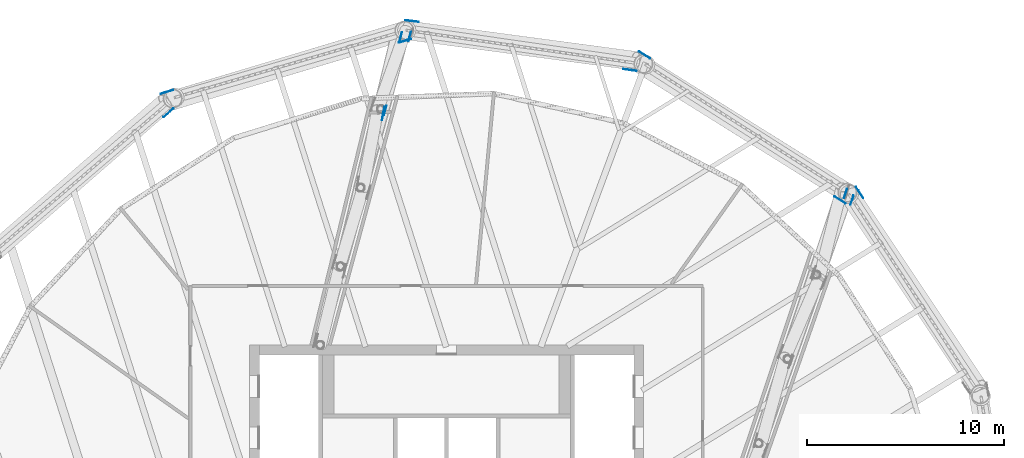
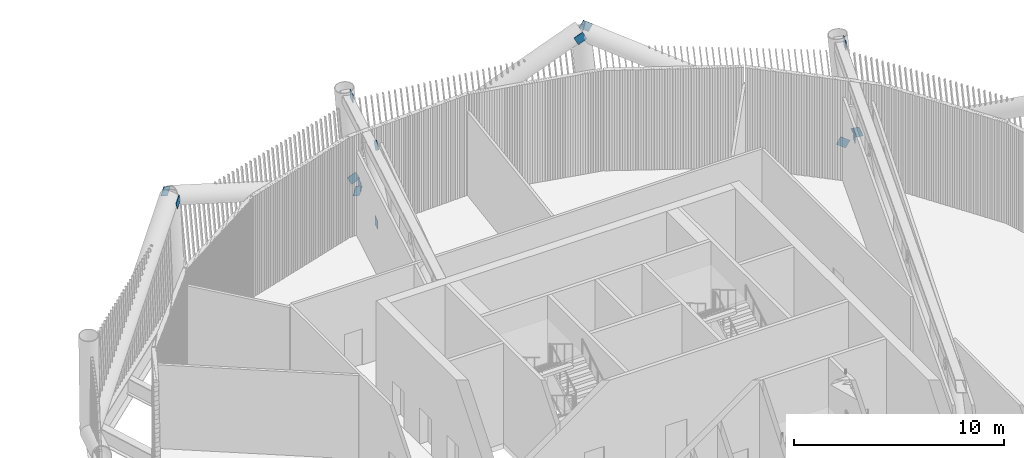
# One storey, part 24 of 40: 14 discrete accessories.
"""IFC4 building model written with IfcOpenShell, lengths in metres."""

from ifc_helpers import new_model, si_unit, direction, frame, origin, origin_2d, place, context, subcontext, project, spatial, rectangle, extrude, material, material_profile, profile_set, type_object, element, save


model = new_model("IFC4")

# Units and contexts
model_context = context("Model", 3, precision=1e-05, world=origin(), true_north=direction((0.0, 1.0)))
body_context = subcontext(model_context, "Body", "Model", "MODEL_VIEW")
ifc_project = project(units=[si_unit("LENGTHUNIT", "METRE"), si_unit("AREAUNIT", "SQUARE_METRE"), si_unit("VOLUMEUNIT", "CUBIC_METRE"), si_unit("PLANEANGLEUNIT", "RADIAN"), si_unit("MASSUNIT", "GRAM", prefix="KILO")], contexts=[model_context])

# Site, building, storey
site_placement = place(None, origin())
site = spatial("IfcSite", under=ifc_project, at=site_placement, CompositionType="ELEMENT")
building_placement = place(site_placement, origin())
building = spatial("IfcBuilding", under=site, at=building_placement, Name="Tarsis Ring Headquarters", CompositionType="ELEMENT")
storey_placement = place(building_placement, frame((0.0, 0.0, 354.800048828125)))
storey = spatial("IfcBuildingStorey", under=building, at=storey_placement, Name="L84", CompositionType="ELEMENT", Elevation=354.800048828125)

# Discrete accessories
ifc_material = material(Name="Structural steel S355", Category="steel")
ifc_material_profile = material_profile(ifc_material, rectangle(XDim=0.02490234375, YDim=0.5, at=origin_2d()), Name="PL 25x500")
ifc_profile_set = profile_set([ifc_material_profile], Name="Structural steel S355")
discrete_accessory_type_1 = type_object("IfcDiscreteAccessoryType", Name="Gusset plate Belt truss 25", PredefinedType="BRACKET", material=ifc_profile_set)
discrete_accessory_1_placement = place(storey_placement, frame((20.8310546875, 20.935546875, 0.0), z_axis=(0.493785982833, -0.740923180967, 0.455201321464), x_axis=(0.832134675427, 0.554573603729, 0.0)))
element("IfcDiscreteAccessory", 1, at=discrete_accessory_1_placement, inside=storey, type_object=discrete_accessory_type_1, Name="Gusset plate GP4", PredefinedType="BRACKET", context=body_context, shape_type="SweptSolid", body=[
    extrude(rectangle(XDim=0.02490234375, YDim=0.5, at=origin_2d()), origin(), (0.0, 0.0, 1.0), 0.499755859375),
])
discrete_accessory_2_placement = place(storey_placement, frame((20.156982421875, 20.240966796875, 0.0), z_axis=(-0.767792786188, 0.479321370653, 0.425141460121), x_axis=(-0.529562606934, -0.848270856117, 0.0)))
element("IfcDiscreteAccessory", 2, at=discrete_accessory_2_placement, inside=storey, type_object=discrete_accessory_type_1, Name="Gusset plate GP4", PredefinedType="BRACKET", context=body_context, shape_type="SweptSolid", body=[
    extrude(rectangle(XDim=0.02490234375, YDim=0.5, at=origin_2d()), origin(), (0.0, 0.0, 1.0), 0.500244140625),
])
discrete_accessory_3_placement = place(storey_placement, frame((9.853515625, 27.83935546875, 6.0), z_axis=(0.767772000603, -0.479124893506, -0.425400389647), x_axis=(0.529416698702, 0.848361926972, 0.0)))
element("IfcDiscreteAccessory", 3, at=discrete_accessory_3_placement, inside=storey, type_object=discrete_accessory_type_1, Name="Gusset plate GP4", PredefinedType="BRACKET", context=body_context, shape_type="SweptSolid", body=[
    extrude(rectangle(XDim=0.02490234375, YDim=0.5, at=origin_2d()), origin(), (0.0, 0.0, 1.0), 0.499755859375),
])
for number, where, z_axis, x_axis, name in (
    (4, (-1.971923828125, 29.4677734375, 0.0), (0.882520657714, -0.118190370319, 0.455179442717), (0.132738551747, 0.991151086808, 0.0), "Gusset plate GP4"),
    (5, (9.525634765625, 26.9287109375, 6.0), (-0.882324429113, 0.118164090673, -0.455566514866), (-0.132738551747, -0.991151086808, 0.0), "Gusset plate GP4"),
    (6, (-1.895263671875, 28.502685546875, 0.0), (-0.866797284741, -0.260283353672, 0.425341090146), (0.287595389088, -0.957751999306, 0.0), "Gusset plate GP4"),
    (7, (-14.404541015625, 25.780517578125, 6.0), (0.866797284741, 0.260283353672, -0.425341090146), (-0.287595389088, 0.957751999306, 0.0), "Gusset plate GP4"),
    (8, (-13.93701171875, 24.932861328125, 6.0), (-0.671225585212, -0.584820546243, -0.45545706982), (0.656911492965, -0.75396769852, 0.0), "Gusset plate GP4"),
):
    element("IfcDiscreteAccessory", number, at=place(storey_placement, frame(where, z_axis=z_axis, x_axis=x_axis)), inside=storey, type_object=discrete_accessory_type_1, Name=name, PredefinedType="BRACKET", context=body_context, shape_type="SweptSolid", body=[
        extrude(rectangle(XDim=0.02490234375, YDim=0.5, at=origin_2d()), origin(), (0.0, 0.0, 1.0), 0.5),
    ])
discrete_accessory_type_2 = type_object("IfcDiscreteAccessoryType", Name="Gusset plate Outrigger 25", PredefinedType="BRACKET", material=ifc_profile_set)
discrete_accessory_4_placement = place(storey_placement, frame((-3.183349609375, 24.895751953125, 5.5859375), z_axis=(-0.109873301614, -0.593315828718, -0.797436006828), x_axis=(0.983282004984, -0.182089260182, 0.0)))
element("IfcDiscreteAccessory", 9, at=discrete_accessory_4_placement, inside=storey, type_object=discrete_accessory_type_2, Name="Gusset plate GP1", PredefinedType="BRACKET", context=body_context, shape_type="SweptSolid", body=[
    extrude(rectangle(XDim=0.02490234375, YDim=0.5, at=origin_2d()), origin(), (0.0, 0.0, 1.0), 0.5),
])
discrete_accessory_type_3 = type_object("IfcDiscreteAccessoryType", Name="Gusset plate Outrigger chord 25", PredefinedType="BRACKET", material=ifc_profile_set)
discrete_accessory_5_placement = place(storey_placement, frame((20.654541015625, 20.588623046875, 0.25390625), z_axis=(-0.329675922935, -0.944094161531, 0.0), x_axis=(0.944094161531, -0.329675922935, 0.0)))
element("IfcDiscreteAccessory", 10, at=discrete_accessory_5_placement, inside=storey, type_object=discrete_accessory_type_3, Name="Gusset plate GP3", PredefinedType="BRACKET", context=body_context, shape_type="SweptSolid", body=[
    extrude(rectangle(XDim=0.02490234375, YDim=0.5, at=origin_2d()), origin(), (0.0, 0.0, 1.0), 0.499755859375),
])
discrete_accessory_6_placement = place(storey_placement, frame((20.319580078125, 20.91845703125, 5.5859375), z_axis=(-0.317252551233, -0.948341087761, 0.0), x_axis=(0.948341087761, -0.317252551233, 0.0)))
element("IfcDiscreteAccessory", 11, at=discrete_accessory_6_placement, inside=storey, type_object=discrete_accessory_type_3, Name="Gusset plate GP3", PredefinedType="BRACKET", context=body_context, shape_type="SweptSolid", body=[
    extrude(rectangle(XDim=0.02490234375, YDim=0.5, at=origin_2d()), origin(), (0.0, 0.0, 1.0), 0.500244140625),
])
for number, where, z_axis, x_axis, name in (
    (12, (-1.802734375, 28.9052734375, 0.25390625), (-0.262249520537, -0.965000097916, 0.0), (0.965000097916, -0.262249520537, 0.0), "Gusset plate GP3"),
    (13, (-2.26806640625, 28.875244140625, 5.5859375), (-0.236326660043, -0.971673664227, 0.0), (0.971673664227, -0.236326660043, 0.0), "Gusset plate GP3"),
    (14, (-3.112060546875, 24.910888671875, 0.508056640625), (0.0, 0.0, 1.0), (0.965021248845, -0.262171679017, 0.0), "Gusset plate GP3"),
):
    element("IfcDiscreteAccessory", number, at=place(storey_placement, frame(where, z_axis=z_axis, x_axis=x_axis)), inside=storey, type_object=discrete_accessory_type_3, Name=name, PredefinedType="BRACKET", context=body_context, shape_type="SweptSolid", body=[
        extrude(rectangle(XDim=0.02490234375, YDim=0.5, at=origin_2d()), origin(), (0.0, 0.0, 1.0), 0.5),
    ])

save(model, "model.ifc")
